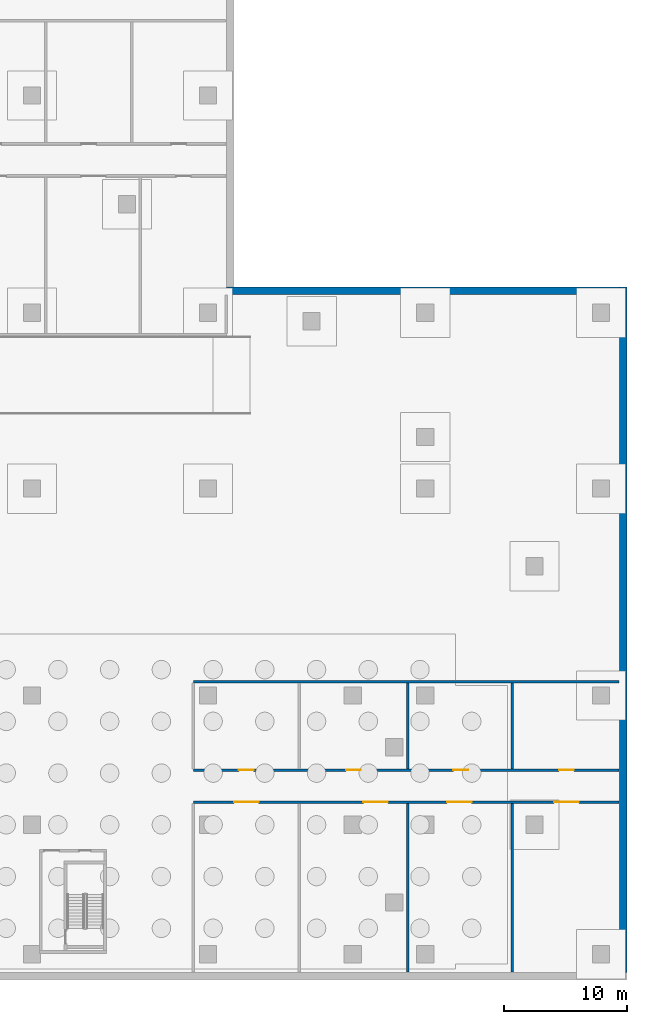
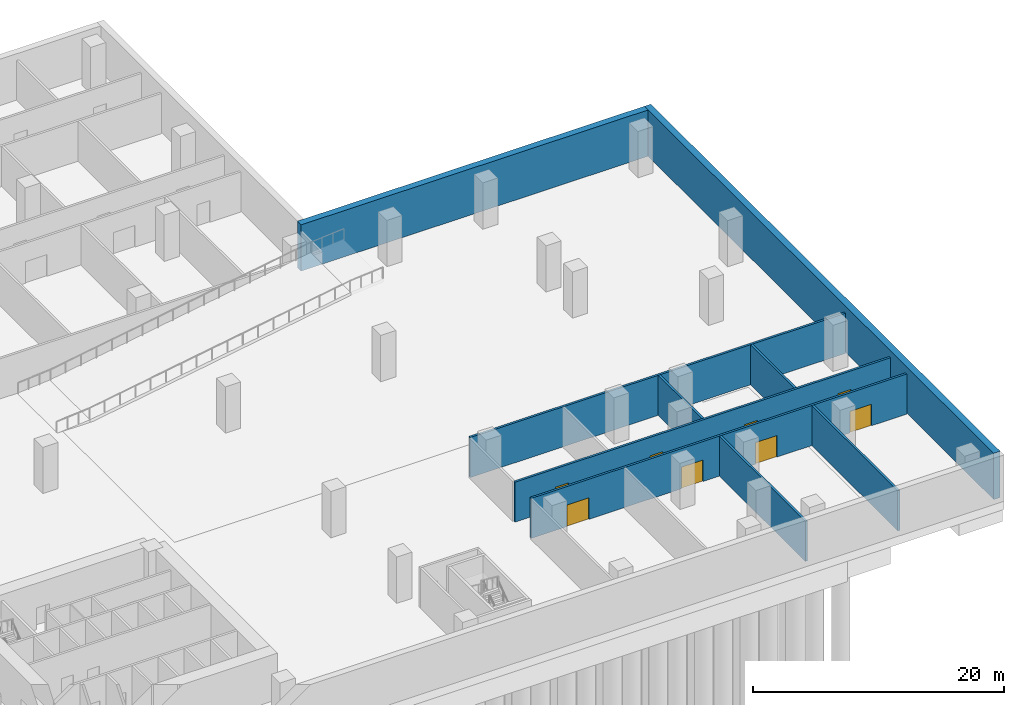
# One storey, part 8 of 13: 9 walls, 8 doors, 8 openings.
"""IFC4 building model written with IfcOpenShell, lengths in metres."""

from ifc_helpers import new_model, si_unit, direction, frame, frame_2d, origin, place, context, subcontext, project, spatial, rectangle, extrude, source, transform, mapped, material, layer, layer_set, type_object, element, fill, save


model = new_model("IFC4")

# Units and contexts
model_context = context("Model", 3, precision=1e-05, world=origin(), true_north=direction((0.0, 1.0)))
body_context = subcontext(model_context, "Body", "Model", "MODEL_VIEW")
ifc_project = project(units=[si_unit("LENGTHUNIT", "METRE"), si_unit("AREAUNIT", "SQUARE_METRE"), si_unit("VOLUMEUNIT", "CUBIC_METRE"), si_unit("PLANEANGLEUNIT", "RADIAN"), si_unit("MASSUNIT", "GRAM", prefix="KILO")], contexts=[model_context])

# Site, building, storey
site_placement = place(None, origin())
site = spatial("IfcSite", under=ifc_project, at=site_placement, CompositionType="ELEMENT")
building_placement = place(site_placement, origin())
building = spatial("IfcBuilding", under=site, at=building_placement, Name="Aurelian Terraces", CompositionType="ELEMENT")
storey_placement = place(building_placement, frame((0.0, 0.0, -13.5)))
storey = spatial("IfcBuildingStorey", under=building, at=storey_placement, Name="B3", CompositionType="ELEMENT", Elevation=-13.5)

# Wall, openings, doors
ifc_material_1 = material(Name="Gypsum board on steel studs", Category="steel")
ifc_layer_1 = layer(ifc_material_1, 0.2)
ifc_layer_set_1 = layer_set([ifc_layer_1], Name="Basement partition 200")
wall_type_1 = type_object("IfcWallType", Name="Basement partition 200", PredefinedType="PARTITIONING", material=ifc_layer_set_1)
wall_1_placement = place(storey_placement, frame((50.9, 12.35, 0.0), z_axis=(0.0, 0.0, 1.0), x_axis=(1.0, 0.0, 0.0)))
wall_1 = element("IfcWall", 1, at=wall_1_placement, inside=storey, type_object=wall_type_1, Name="B3 partition 001", PredefinedType="PARTITIONING", context=body_context, shape_type="SweptSolid", body=[
    extrude(rectangle(XDim=34.54, YDim=0.2, at=frame_2d((17.27, 0.0))), origin(), (0.0, 0.0, 1.0), 3.9),
])
shared_shape_1 = source(origin(), body_context, "Body", "SweptSolid", [
    extrude(rectangle(XDim=2.0, YDim=2.1, at=frame_2d((1.0, 1.05))), frame((0.0, 0.11, 0.0), z_axis=(0.0, -1.0, 0.0), x_axis=(1.0, 0.0, 0.0)), (0.0, 0.0, 1.0), 0.22),
])
opening_1_placement = place(wall_1_placement, frame((3.3, 0.0, 0.0)))
opening_1 = element("IfcOpeningElement", 2, at=opening_1_placement, cuts=wall_1, Name="Opening 50019", PredefinedType="OPENING", context=body_context, shape_type="MappedRepresentation", body=[
    mapped(shared_shape_1, transform((0.0, 0.0, 0.0), scale=1.0)),
])
opening_2_placement = place(wall_1_placement, frame((13.8, 0.0, 0.0)))
opening_2 = element("IfcOpeningElement", 3, at=opening_2_placement, cuts=wall_1, Name="Opening 50020", PredefinedType="OPENING", context=body_context, shape_type="MappedRepresentation", body=[
    mapped(shared_shape_1, transform((0.0, 0.0, 0.0), scale=1.0)),
])
opening_3_placement = place(wall_1_placement, frame((20.6, 0.0, 0.0)))
opening_3 = element("IfcOpeningElement", 4, at=opening_3_placement, cuts=wall_1, Name="Opening 50021", PredefinedType="OPENING", context=body_context, shape_type="MappedRepresentation", body=[
    mapped(shared_shape_1, transform((0.0, 0.0, 0.0), scale=1.0)),
])
opening_4_placement = place(wall_1_placement, frame((29.3, 0.0, 0.0)))
opening_4 = element("IfcOpeningElement", 5, at=opening_4_placement, cuts=wall_1, Name="Opening 50022", PredefinedType="OPENING", context=body_context, shape_type="MappedRepresentation", body=[
    mapped(shared_shape_1, transform((0.0, 0.0, 0.0), scale=1.0)),
])
ifc_material_2 = material(Name="Steel door leaf", Category="steel")
door_type_1 = type_object("IfcDoorType", Name="Plant room door double 2000x2100", OperationType="DOUBLE_DOOR_SINGLE_SWING", PredefinedType="DOOR", material=ifc_material_2)
shared_shape_2 = source(origin(), body_context, "Body", "SweptSolid", [
    extrude(rectangle(XDim=2.0, YDim=2.1, at=frame_2d((1.0, 1.05))), frame((0.0, 0.025, 0.0), z_axis=(0.0, -1.0, 0.0), x_axis=(1.0, 0.0, 0.0)), (0.0, 0.0, 1.0), 0.05),
])
door_1_placement = place(opening_1_placement, origin())
door_1 = element("IfcDoor", 6, at=door_1_placement, inside=storey, type_object=door_type_1, Name="Room door 50019", OperationType="DOUBLE_DOOR_SINGLE_SWING", OverallHeight=2.1, OverallWidth=2.0, PredefinedType="DOOR", context=body_context, shape_type="MappedRepresentation", body=[
    mapped(shared_shape_2, transform((0.0, 0.0, 0.0), scale=1.0)),
])
fill(opening_1, door_1)
door_2_placement = place(opening_2_placement, origin())
door_2 = element("IfcDoor", 7, at=door_2_placement, inside=storey, type_object=door_type_1, Name="Room door 50020", OperationType="DOUBLE_DOOR_SINGLE_SWING", OverallHeight=2.1, OverallWidth=2.0, PredefinedType="DOOR", context=body_context, shape_type="MappedRepresentation", body=[
    mapped(shared_shape_2, transform((0.0, 0.0, 0.0), scale=1.0)),
])
fill(opening_2, door_2)
door_3_placement = place(opening_3_placement, origin())
door_3 = element("IfcDoor", 8, at=door_3_placement, inside=storey, type_object=door_type_1, Name="Room door 50021", OperationType="DOUBLE_DOOR_SINGLE_SWING", OverallHeight=2.1, OverallWidth=2.0, PredefinedType="DOOR", context=body_context, shape_type="MappedRepresentation", body=[
    mapped(shared_shape_2, transform((0.0, 0.0, 0.0), scale=1.0)),
])
fill(opening_3, door_3)
door_4_placement = place(opening_4_placement, origin())
door_4 = element("IfcDoor", 9, at=door_4_placement, inside=storey, type_object=door_type_1, Name="Room door 50022", OperationType="DOUBLE_DOOR_SINGLE_SWING", OverallHeight=2.1, OverallWidth=2.0, PredefinedType="DOOR", context=body_context, shape_type="MappedRepresentation", body=[
    mapped(shared_shape_2, transform((0.0, 0.0, 0.0), scale=1.0)),
])
fill(opening_4, door_4)

# Walls
ifc_material_3 = material(Name="Concrete fc' 40 MPa", Category="concrete")
ifc_layer_2 = layer(ifc_material_3, 0.6)
ifc_layer_set_2 = layer_set([ifc_layer_2], Name="BASEMENT WALL 600 FC40")
wall_type_2 = type_object("IfcWallType", Name="BASEMENT WALL 600 FC40", PredefinedType="SOLIDWALL", material=ifc_layer_set_2)
shared_shape_3 = source(origin(), body_context, "Body", "SweptSolid", [
    extrude(rectangle(XDim=55.68, YDim=0.6, at=frame_2d((27.84, 0.0))), origin(), (0.0, 0.0, 1.0), 4.5),
])
wall_2_placement = place(storey_placement, frame((85.8, -1.5, 0.0), z_axis=(0.0, 0.0, 1.0), x_axis=(0.0, 1.0, 0.0)))
element("IfcWall", 10, at=wall_2_placement, inside=storey, type_object=wall_type_2, Name="Basement wall 5 B3", PredefinedType="SOLIDWALL", context=body_context, shape_type="MappedRepresentation", body=[
    mapped(shared_shape_3, transform((0.0, 0.0, 0.0), scale=1.0)),
])
shared_shape_4 = source(origin(), body_context, "Body", "SweptSolid", [
    extrude(rectangle(XDim=31.92, YDim=0.6, at=frame_2d((15.96, 0.0))), origin(), (0.0, 0.0, 1.0), 4.5),
])
wall_3_placement = place(storey_placement, frame((85.5, 53.88, 0.0), z_axis=(0.0, 0.0, 1.0), x_axis=(-1.0, 0.0, 0.0)))
element("IfcWall", 11, at=wall_3_placement, inside=storey, type_object=wall_type_2, Name="Basement wall 6 B3", PredefinedType="SOLIDWALL", context=body_context, shape_type="MappedRepresentation", body=[
    mapped(shared_shape_4, transform((0.0, 0.0, 0.0), scale=1.0)),
])

# Wall, openings, doors
shared_shape_5 = source(origin(), body_context, "Body", "SweptSolid", [
    extrude(rectangle(XDim=34.54, YDim=0.2, at=frame_2d((17.27, 0.0))), origin(), (0.0, 0.0, 1.0), 3.9),
])
wall_4_placement = place(storey_placement, frame((50.9, 14.95, 0.0), z_axis=(0.0, 0.0, 1.0), x_axis=(1.0, 0.0, 0.0)))
wall_4 = element("IfcWall", 12, at=wall_4_placement, inside=storey, type_object=wall_type_1, Name="B3 partition 002", PredefinedType="PARTITIONING", context=body_context, shape_type="MappedRepresentation", body=[
    mapped(shared_shape_5, transform((0.0, 0.0, 0.0), scale=1.0)),
])
shared_shape_6 = source(origin(), body_context, "Body", "SweptSolid", [
    extrude(rectangle(XDim=1.2, YDim=2.1, at=frame_2d((0.6, 1.05))), frame((0.0, 0.11, 0.0), z_axis=(0.0, -1.0, 0.0), x_axis=(1.0, 0.0, 0.0)), (0.0, 0.0, 1.0), 0.22),
])
opening_5_placement = place(wall_4_placement, frame((3.7, 0.0, 0.0)))
opening_5 = element("IfcOpeningElement", 13, at=opening_5_placement, cuts=wall_4, Name="Opening 50023", PredefinedType="OPENING", context=body_context, shape_type="MappedRepresentation", body=[
    mapped(shared_shape_6, transform((0.0, 0.0, 0.0), scale=1.0)),
])
opening_6_placement = place(wall_4_placement, frame((12.4, 0.0, 0.0)))
opening_6 = element("IfcOpeningElement", 14, at=opening_6_placement, cuts=wall_4, Name="Opening 50024", PredefinedType="OPENING", context=body_context, shape_type="MappedRepresentation", body=[
    mapped(shared_shape_6, transform((0.0, 0.0, 0.0), scale=1.0)),
])
opening_7_placement = place(wall_4_placement, frame((21.1, 0.0, 0.0)))
opening_7 = element("IfcOpeningElement", 15, at=opening_7_placement, cuts=wall_4, Name="Opening 50025", PredefinedType="OPENING", context=body_context, shape_type="MappedRepresentation", body=[
    mapped(shared_shape_6, transform((0.0, 0.0, 0.0), scale=1.0)),
])
opening_8_placement = place(wall_4_placement, frame((29.7, 0.0, 0.0)))
opening_8 = element("IfcOpeningElement", 16, at=opening_8_placement, cuts=wall_4, Name="Opening 50026", PredefinedType="OPENING", context=body_context, shape_type="MappedRepresentation", body=[
    mapped(shared_shape_6, transform((0.0, 0.0, 0.0), scale=1.0)),
])
door_type_2 = type_object("IfcDoorType", Name="Plant room door 1200x2100 right", OperationType="SINGLE_SWING_RIGHT", PredefinedType="DOOR", material=ifc_material_2)
shared_shape_7 = source(origin(), body_context, "Body", "SweptSolid", [
    extrude(rectangle(XDim=1.2, YDim=2.1, at=frame_2d((0.6, 1.05))), frame((0.0, 0.025, 0.0), z_axis=(0.0, -1.0, 0.0), x_axis=(1.0, 0.0, 0.0)), (0.0, 0.0, 1.0), 0.05),
])
door_5_placement = place(opening_5_placement, origin())
door_5 = element("IfcDoor", 17, at=door_5_placement, inside=storey, type_object=door_type_2, Name="Room door 50023", OperationType="SINGLE_SWING_RIGHT", OverallHeight=2.1, OverallWidth=1.2, PredefinedType="DOOR", context=body_context, shape_type="MappedRepresentation", body=[
    mapped(shared_shape_7, transform((0.0, 0.0, 0.0), scale=1.0)),
])
fill(opening_5, door_5)
door_type_3 = type_object("IfcDoorType", Name="Plant room door 1200x2100", OperationType="SINGLE_SWING_LEFT", PredefinedType="DOOR", material=ifc_material_2)
door_6_placement = place(opening_6_placement, origin())
door_6 = element("IfcDoor", 18, at=door_6_placement, inside=storey, type_object=door_type_3, Name="Room door 50024", OperationType="SINGLE_SWING_LEFT", OverallHeight=2.1, OverallWidth=1.2, PredefinedType="DOOR", context=body_context, shape_type="MappedRepresentation", body=[
    mapped(shared_shape_7, transform((0.0, 0.0, 0.0), scale=1.0)),
])
fill(opening_6, door_6)
door_7_placement = place(opening_7_placement, origin())
door_7 = element("IfcDoor", 19, at=door_7_placement, inside=storey, type_object=door_type_2, Name="Room door 50025", OperationType="SINGLE_SWING_RIGHT", OverallHeight=2.1, OverallWidth=1.2, PredefinedType="DOOR", context=body_context, shape_type="MappedRepresentation", body=[
    mapped(shared_shape_7, transform((0.0, 0.0, 0.0), scale=1.0)),
])
fill(opening_7, door_7)
door_8_placement = place(opening_8_placement, origin())
door_8 = element("IfcDoor", 20, at=door_8_placement, inside=storey, type_object=door_type_3, Name="Room door 50026", OperationType="SINGLE_SWING_LEFT", OverallHeight=2.1, OverallWidth=1.2, PredefinedType="DOOR", context=body_context, shape_type="MappedRepresentation", body=[
    mapped(shared_shape_7, transform((0.0, 0.0, 0.0), scale=1.0)),
])
fill(opening_8, door_8)

# Walls
wall_5_placement = place(storey_placement, frame((50.9, 22.1, 0.0), z_axis=(0.0, 0.0, 1.0), x_axis=(1.0, 0.0, 0.0)))
element("IfcWall", 21, at=wall_5_placement, inside=storey, type_object=wall_type_1, Name="B3 partition 003", PredefinedType="PARTITIONING", context=body_context, shape_type="MappedRepresentation", body=[
    mapped(shared_shape_5, transform((0.0, 0.0, 0.0), scale=1.0)),
])
shared_shape_8 = source(origin(), body_context, "Body", "SweptSolid", [
    extrude(rectangle(XDim=13.69, YDim=0.2, at=frame_2d((6.845, 0.0))), origin(), (0.0, 0.0, 1.0), 3.9),
])
for number, where, z_axis, x_axis, name in (
    (22, (68.3, -1.44, 0.0), (0.0, 0.0, 1.0), (0.0, 1.0, 0.0), "B3 partition 034"),
    (23, (76.8, -1.44, 0.0), (0.0, 0.0, 1.0), (0.0, 1.0, 0.0), "B3 partition 036"),
):
    element("IfcWall", number, at=place(storey_placement, frame(where, z_axis=z_axis, x_axis=x_axis)), inside=storey, type_object=wall_type_1, Name=name, PredefinedType="PARTITIONING", context=body_context, shape_type="MappedRepresentation", body=[
        mapped(shared_shape_8, transform((0.0, 0.0, 0.0), scale=1.0)),
    ])
shared_shape_9 = source(origin(), body_context, "Body", "SweptSolid", [
    extrude(rectangle(XDim=6.95, YDim=0.2, at=frame_2d((3.475, 0.0))), origin(), (0.0, 0.0, 1.0), 3.9),
])
for number, where, z_axis, x_axis, name in (
    (24, (68.3, 15.05, 0.0), (0.0, 0.0, 1.0), (0.0, 1.0, 0.0), "B3 partition 035"),
    (25, (76.8, 15.05, 0.0), (0.0, 0.0, 1.0), (0.0, 1.0, 0.0), "B3 partition 037"),
):
    element("IfcWall", number, at=place(storey_placement, frame(where, z_axis=z_axis, x_axis=x_axis)), inside=storey, type_object=wall_type_1, Name=name, PredefinedType="PARTITIONING", context=body_context, shape_type="MappedRepresentation", body=[
        mapped(shared_shape_9, transform((0.0, 0.0, 0.0), scale=1.0)),
    ])

save(model, "model.ifc")
